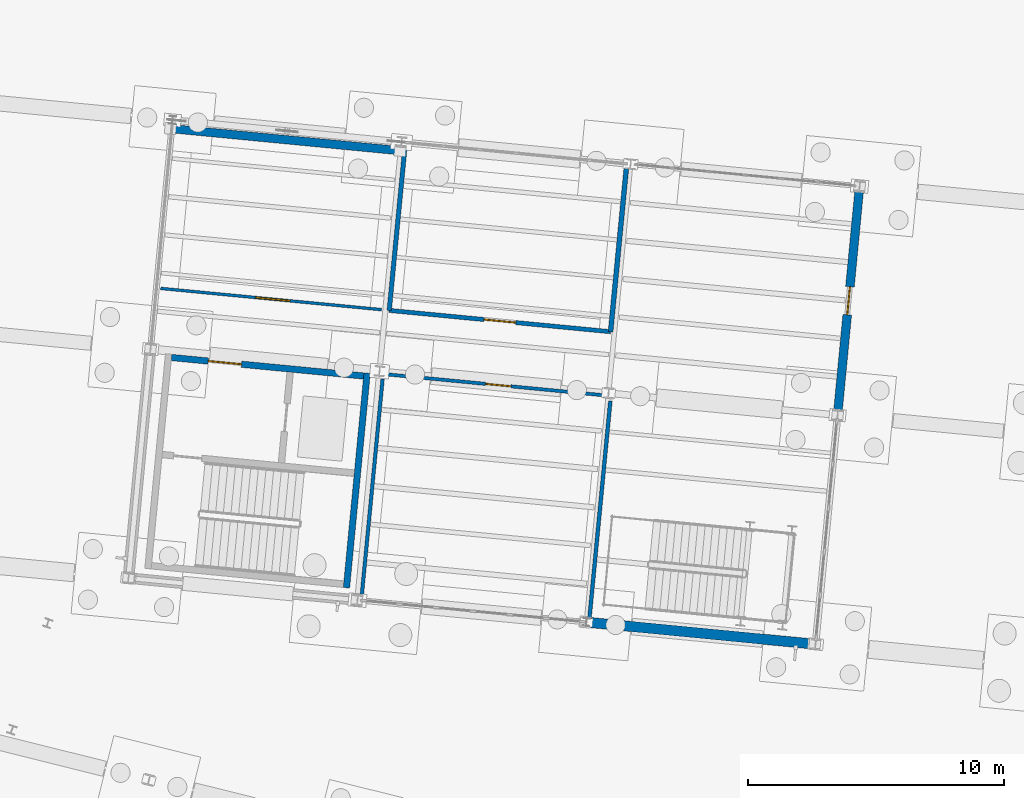
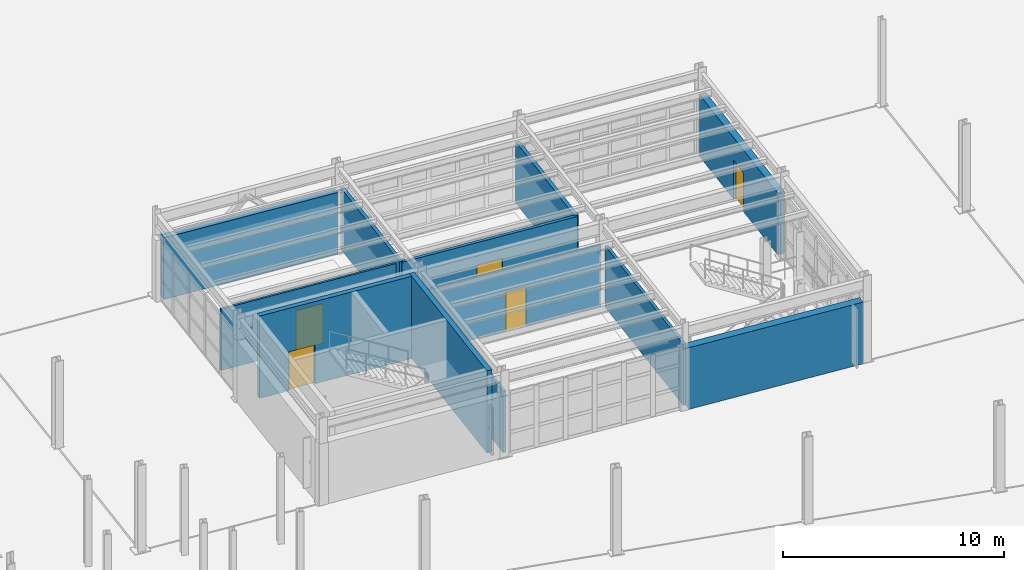
# One storey, part 87 of 108: 12 walls, 5 doors, 5 openings.
"""IFC4 building model written with IfcOpenShell, lengths in metres."""

import ifcopenshell
import ifcopenshell.guid

model = None  # the IFC model being written
_history = None  # IfcOwnerHistory: only IFC2X3 demands one
_inside = {}  # id of a spatial element -> (the spatial element, [elements in it])
_under = {}  # id of a project, library or spatial element -> (it, [spatial elements below it])
_declared = {}  # id of a project -> (the project, [libraries it declares])
_typed = {}  # id of a type object -> (the type object, [elements of that type])
_made_of = {}  # id of a material, layer set ... -> (it, [elements and type objects made of it])


def new_model(schema):
    """Start an empty IFC model of exactly this schema.

    Asked for "IFC4X3", IfcOpenShell would pick the latest addendum, in which some entities
    have other attributes; the version numbers below select the first issue.
    IFC2X3 requires an IfcOwnerHistory on every rooted entity: one is made here for all.
    """
    global model, _history
    if schema == "IFC4X3":
        model = ifcopenshell.file(schema_version=(4, 3, 0, 0))
    else:
        model = ifcopenshell.file(schema=schema)
    _inside.clear()
    _under.clear()
    _declared.clear()
    _typed.clear()
    _made_of.clear()
    _history = None
    if model.schema == "IFC2X3":
        org = make("IfcOrganization", Name="unknown")
        user = make(
            "IfcPersonAndOrganization",
            ThePerson=make("IfcPerson", FamilyName="unknown"),
            TheOrganization=org,
        )
        app = make(
            "IfcApplication",
            ApplicationDeveloper=org,
            Version="unknown",
            ApplicationFullName="unknown",
            ApplicationIdentifier="unknown",
        )
        _history = make(
            "IfcOwnerHistory",
            OwningUser=user,
            OwningApplication=app,
            ChangeAction="ADDED",
            CreationDate=0,
        )
    return model


def make(cls, **values):
    """One entity of the class cls with the attributes given. An attribute that is None is left unset."""
    return model.create_entity(
        cls, **{name: value for name, value in values.items() if value is not None}
    )


def rooted(cls, **values):
    """An entity with a GlobalId (a new one), such as an element, a storey or a relation."""
    return make(cls, GlobalId=ifcopenshell.guid.new(), OwnerHistory=_history, **values)


def si_unit(unit_type, name, prefix=None):
    """IfcSIUnit, for example si_unit("LENGTHUNIT", "METRE", prefix="MILLI")."""
    return make("IfcSIUnit", UnitType=unit_type, Prefix=prefix, Name=name)


def assignment(units):
    """IfcUnitAssignment: the units of a project."""
    return None if units is None else make("IfcUnitAssignment", Units=units)


def point(xyz):
    """IfcCartesianPoint."""
    return None if xyz is None else make("IfcCartesianPoint", Coordinates=xyz)


def direction(xyz):
    """IfcDirection."""
    return None if xyz is None else make("IfcDirection", DirectionRatios=xyz)


def frame(location, z_axis=None, x_axis=None):
    """IfcAxis2Placement3D, a coordinate frame: its origin and axes. An axis left out is left unset."""
    return make(
        "IfcAxis2Placement3D",
        Location=point(location),
        Axis=direction(z_axis),
        RefDirection=direction(x_axis),
    )


def frame_2d(location, x_axis=None):
    """IfcAxis2Placement2D, a coordinate frame in the plane: its origin and x axis."""
    return make(
        "IfcAxis2Placement2D", Location=point(location), RefDirection=direction(x_axis)
    )


def origin():
    """The frame at (0, 0, 0) with its axes left unset."""
    return frame((0.0, 0.0, 0.0))


def origin_with_axes():
    """The frame at (0, 0, 0) with the z axis (0, 0, 1) and the x axis (1, 0, 0) written out."""
    return frame((0.0, 0.0, 0.0), z_axis=(0.0, 0.0, 1.0), x_axis=(1.0, 0.0, 0.0))


def place(relative_to, where):
    """IfcLocalPlacement: puts the frame where relative to a parent placement (None: the world)."""
    return make(
        "IfcLocalPlacement", PlacementRelTo=relative_to, RelativePlacement=where
    )


def context(
    kind, dimensions, precision=None, world=None, true_north=None, identifier=None
):
    """IfcGeometricRepresentationContext, for example the 3D "Model" context."""
    return make(
        "IfcGeometricRepresentationContext",
        ContextIdentifier=identifier,
        ContextType=kind,
        CoordinateSpaceDimension=dimensions,
        Precision=precision,
        WorldCoordinateSystem=world,
        TrueNorth=true_north,
    )


def subcontext(parent, identifier, kind, view, scale=None):
    """IfcGeometricRepresentationSubContext, for example "Body" below "Model"."""
    return make(
        "IfcGeometricRepresentationSubContext",
        ContextIdentifier=identifier,
        ContextType=kind,
        ParentContext=parent,
        TargetScale=scale,
        TargetView=view,
    )


def project(units=None, contexts=None):
    """IfcProject with its units and contexts."""
    return rooted(
        "IfcProject",
        Name="project",
        RepresentationContexts=contexts,
        UnitsInContext=assignment(units),
    )


def spatial(cls, under=None, at=None, **own):
    """A site, building, storey or space (cls), placed at a placement, below another one or the project."""
    s = rooted(cls, ObjectPlacement=at, **own)
    if under is not None:
        _under.setdefault(under.id(), (under, []))[1].append(s)
    return s


def profile(cls, at=None, kind="AREA", **sizes):
    """A parametric profile (cls). Its sizes go by their IFC names, for example OverallWidth=200.0."""
    return make(cls, ProfileType=kind, Position=at, **sizes)


def rectangle(**sizes):
    """IfcRectangleProfileDef."""
    return profile("IfcRectangleProfileDef", **sizes)


def extrude(swept, where, along, depth):
    """IfcExtrudedAreaSolid: the profile swept, set in the frame where, extruded along a direction by depth."""
    return make(
        "IfcExtrudedAreaSolid",
        SweptArea=swept,
        Position=where,
        ExtrudedDirection=direction(along),
        Depth=depth,
    )


def shape(context_of_items, identifier, shape_type, items):
    """IfcShapeRepresentation: the items that make up one representation, for example the "Body"."""
    return make(
        "IfcShapeRepresentation",
        ContextOfItems=context_of_items,
        RepresentationIdentifier=identifier,
        RepresentationType=shape_type,
        Items=items,
    )


def material(Name=None, Category=None):
    """IfcMaterial."""
    return make("IfcMaterial", Name=Name, Category=Category)


def layer(
    of_material, thickness, ventilated=None, Name=None, Category=None, Priority=None
):
    """IfcMaterialLayer: one layer of a wall or slab, of a material (None: an air gap)."""
    return make(
        "IfcMaterialLayer",
        Material=of_material,
        LayerThickness=thickness,
        IsVentilated=ventilated,
        Name=Name,
        Category=Category,
        Priority=Priority,
    )


def layer_set(layers, Name=None):
    """IfcMaterialLayerSet."""
    return make("IfcMaterialLayerSet", MaterialLayers=layers, LayerSetName=Name)


def made_of(thing, what):
    """Note that an element or type object is made of a material, layer set ...; save() writes the relation."""
    if what is not None:
        _made_of.setdefault(what.id(), (what, []))[1].append(thing)
    return thing


def type_object(cls, material=None, **own):
    """A type object (cls), such as IfcWallType, which elements share."""
    return made_of(rooted(cls, **own), material)


def element(
    cls,
    number,
    at=None,
    inside=None,
    cuts=None,
    type_object=None,
    material=None,
    context=None,
    identifier="Body",
    shape_type=None,
    held_by="IfcProductDefinitionShape",
    body=None,
    shapes=None,
    **own,
):
    """One element of the class cls, such as IfcWall. Its Tag is "e" and its number.

    at: its placement. inside: the storey or other place that contains it. cuts: it is an
    opening in that element (IfcRelVoidsElement). A single representation is given by context,
    identifier, shape_type and body (its items); several are given by shapes. held_by: the class
    of the entity that holds the representations. save() writes the other relations.
    """
    e = rooted(cls, Tag="e%d" % number, ObjectPlacement=at, **own)
    if body is not None:
        shapes = [shape(context, identifier, shape_type, body)]
    if shapes is not None:
        e.Representation = make(held_by, Representations=shapes)
    if inside is not None:
        _inside.setdefault(inside.id(), (inside, []))[1].append(e)
    if cuts is not None:
        rooted(
            "IfcRelVoidsElement", RelatingBuildingElement=cuts, RelatedOpeningElement=e
        )
    if type_object is not None:
        _typed.setdefault(type_object.id(), (type_object, []))[1].append(e)
    return made_of(e, material)


def fill(opening, filler):
    """IfcRelFillsElement: the door or window that sits in an opening."""
    return rooted(
        "IfcRelFillsElement",
        RelatingOpeningElement=opening,
        RelatedBuildingElement=filler,
    )


def aggregate(whole, parts):
    """IfcRelAggregates: a whole, such as a stair, and the parts it consists of."""
    return rooted("IfcRelAggregates", RelatingObject=whole, RelatedObjects=parts)


def save(model, path):
    """Write the relations noted so far, then the file.

    IfcRelAggregates (storeys below a building ...), IfcRelContainedInSpatialStructure (elements
    in a storey), IfcRelDefinesByType, IfcRelAssociatesMaterial and IfcRelDeclares: one each for
    every whole, place, type object, material and project.
    """
    for whole, parts in _under.values():
        aggregate(whole, parts)
    for where, things in _inside.values():
        rooted(
            "IfcRelContainedInSpatialStructure",
            RelatedElements=things,
            RelatingStructure=where,
        )
    for kind, things in _typed.values():
        rooted("IfcRelDefinesByType", RelatedObjects=things, RelatingType=kind)
    for what, things in _made_of.values():
        rooted("IfcRelAssociatesMaterial", RelatedObjects=things, RelatingMaterial=what)
    for by, libraries in _declared.values():
        rooted("IfcRelDeclares", RelatingContext=by, RelatedDefinitions=libraries)
    model.write(path)


model = new_model("IFC4")

# Units and contexts
model_context = context("Model", 3, precision=1e-05, world=origin(), true_north=direction((0.0, 1.0)))
body_context = subcontext(model_context, "Body", "Model", "MODEL_VIEW")
ifc_project = project(units=[si_unit("LENGTHUNIT", "METRE"), si_unit("AREAUNIT", "SQUARE_METRE"), si_unit("VOLUMEUNIT", "CUBIC_METRE"), si_unit("PLANEANGLEUNIT", "RADIAN"), si_unit("MASSUNIT", "GRAM", prefix="KILO")], contexts=[model_context])

# Site, building, storey
site_placement = place(None, origin())
site = spatial("IfcSite", under=ifc_project, at=site_placement, CompositionType="ELEMENT")
building_placement = place(site_placement, origin())
building = spatial("IfcBuilding", under=site, at=building_placement, Name="Vireo Bluff Cable Station", CompositionType="ELEMENT")
storey_placement = place(building_placement, origin())
storey = spatial("IfcBuildingStorey", under=building, at=storey_placement, Name="L00", CompositionType="ELEMENT", Elevation=0.0)

# Wall
ifc_material_1 = material(Name="Precast concrete f'c 45 MPa", Category="concrete")
ifc_layer_1 = layer(ifc_material_1, 0.330078125, Name="Precast concrete f'c 45 MPa")
ifc_layer_set_1 = layer_set([ifc_layer_1], Name="Precast concrete f'c 45 MPa")
wall_type_1 = type_object("IfcWallType", Name="EW-PRECAST-330", PredefinedType="SOLIDWALL", material=ifc_layer_set_1)
wall_1_placement = place(storey_placement, frame((69.55908203125, 84.5703125, 0.0), z_axis=(0.0, 0.0, 1.0), x_axis=(0.995393996704, -0.095868614915, 0.0)))
element("IfcWall", 1, at=wall_1_placement, inside=storey, type_object=wall_type_1, Name="V3 L00 north exterior wall 50", PredefinedType="SOLIDWALL", context=body_context, shape_type="SweptSolid", body=[
    extrude(rectangle(XDim=8.666015625, YDim=0.330078125, at=frame_2d((4.3330078125, 0.0))), origin(), (0.0, 0.0, 1.0), 3.39990234375),
])

# Wall, opening, door
ifc_layer_2 = layer(ifc_material_1, 0.340087890625, Name="Precast concrete f'c 45 MPa")
ifc_layer_set_2 = layer_set([ifc_layer_2], Name="Precast concrete f'c 45 MPa")
wall_type_2 = type_object("IfcWallType", Name="EW-PRECAST-340", PredefinedType="SOLIDWALL", material=ifc_layer_set_2)
wall_2_placement = place(storey_placement, frame((96.31884765625, 82.12353515625, 0.0), z_axis=(0.0, 0.0, 1.0), x_axis=(-0.095860829531, -0.995394746501, 0.0)))
wall_2 = element("IfcWall", 2, at=wall_2_placement, inside=storey, type_object=wall_type_2, Name="V3 L00 east exterior wall 51", PredefinedType="SOLIDWALL", context=body_context, shape_type="SweptSolid", body=[
    extrude(rectangle(XDim=8.587890625, YDim=0.340087890625, at=frame_2d((4.2939453125, 0.0))), origin(), (0.0, 0.0, 1.0), 3.39990234375),
])
opening_1_placement = place(wall_2_placement, frame((3.743896484375, 0.0, 0.0)))
opening_1 = element("IfcOpeningElement", 3, at=opening_1_placement, cuts=wall_2, Name="Opening ED-004", PredefinedType="OPENING", context=body_context, shape_type="SweptSolid", body=[
    extrude(rectangle(XDim=1.10009765625, YDim=2.14990234375, at=frame_2d((0.550048828125, 1.074951171875))), frame((0.0, 0.18017578125, 0.0), z_axis=(0.0, -1.0, 0.0), x_axis=(1.0, 0.0, 0.0)), (0.0, 0.0, 1.0), 0.360107421875),
])
ifc_material_2 = material(Name="Anodized Aluminium 6063-T6", Category="aluminium")
door_type_1 = type_object("IfcDoorType", Name="EDOOR-1100X2150", OperationType="NOTDEFINED", PredefinedType="DOOR", material=ifc_material_2)
door_1_placement = place(opening_1_placement, origin_with_axes())
door_1 = element("IfcDoor", 4, at=door_1_placement, inside=storey, type_object=door_type_1, Name="V3 L00 plaza exit door ED-004", OperationType="SINGLE_SWING_LEFT", OverallHeight=2.14990234375, OverallWidth=1.10009765625, PredefinedType="DOOR", context=body_context, shape_type="SweptSolid", body=[
    extrude(rectangle(XDim=1.10009765625, YDim=2.14990234375, at=frame_2d((0.550048828125, 1.074951171875))), frame((0.0, 0.02490234375, 0.0), z_axis=(0.0, -1.0, 0.0), x_axis=(1.0, 0.0, 0.0)), (0.0, 0.0, 1.0), 0.050048828125),
])
fill(opening_1, door_1)

# Wall
ifc_layer_3 = layer(ifc_material_1, 0.39990234375, Name="Precast concrete f'c 45 MPa")
ifc_layer_set_3 = layer_set([ifc_layer_3], Name="Precast concrete f'c 45 MPa")
wall_type_3 = type_object("IfcWallType", Name="EW-PRECAST-400", PredefinedType="SOLIDWALL", material=ifc_layer_set_3)
wall_3_placement = place(storey_placement, frame((94.40966796875, 64.435791015625, 0.0), z_axis=(0.0, 0.0, 1.0), x_axis=(-0.995396425889, 0.095843389587, 0.0)))
element("IfcWall", 5, at=wall_3_placement, inside=storey, type_object=wall_type_3, Name="V3 L00 south exterior wall 47", PredefinedType="SOLIDWALL", context=body_context, shape_type="SweptSolid", body=[
    extrude(rectangle(XDim=8.665771484375, YDim=0.39990234375, at=frame_2d((4.3330078125, 0.0))), origin(), (0.0, 0.0, 1.0), 3.39990234375),
])

# Wall, opening, door
ifc_material_3 = material(Name="Fire-Rated Gypsum Board Partition")
ifc_layer_4 = layer(ifc_material_3, 0.110107421875, Name="Fire-Rated Gypsum Board Partition")
ifc_layer_set_4 = layer_set([ifc_layer_4], Name="Fire-Rated Gypsum Board Partition")
wall_type_4 = type_object("IfcWallType", Name="PT-1HR-110", PredefinedType="PARTITIONING", material=ifc_layer_set_4)
wall_4_placement = place(storey_placement, frame((77.639892578125, 77.503173828125, 0.0), z_axis=(0.0, 0.0, 1.0), x_axis=(-0.995395052796, 0.095857648985, 0.0)))
wall_4 = element("IfcWall", 6, at=wall_4_placement, inside=storey, type_object=wall_type_4, Name="V3 L00 Bluff Arrival Vestibule S partition", PredefinedType="PARTITIONING", context=body_context, shape_type="SweptSolid", body=[
    extrude(rectangle(XDim=8.679931640625, YDim=0.110107421875, at=frame_2d((4.33984375, 0.0))), origin(), (0.0, 0.0, 1.0), 3.3798828125),
])
opening_2_placement = place(wall_4_placement, frame((3.60009765625, 0.0, 0.0)))
opening_2 = element("IfcOpeningElement", 7, at=opening_2_placement, cuts=wall_4, Name="Opening D-0077", PredefinedType="OPENING", context=body_context, shape_type="SweptSolid", body=[
    extrude(rectangle(XDim=1.35009765625, YDim=2.199951171875, at=frame_2d((0.675048828125, 1.10009765625))), frame((0.0, 0.06494140625, 0.0), z_axis=(0.0, -1.0, 0.0), x_axis=(1.0, 0.0, 0.0)), (0.0, 0.0, 1.0), 0.130126953125),
])
door_type_2 = type_object("IfcDoorType", Name="IDOOR60-1350X2200", OperationType="NOTDEFINED", PredefinedType="DOOR", material=ifc_material_2)
door_2_placement = place(opening_2_placement, origin_with_axes())
door_2 = element("IfcDoor", 8, at=door_2_placement, inside=storey, type_object=door_type_2, Name="V3 L00 Bluff Arrival Vestibule door D-0077", OperationType="SINGLE_SWING_RIGHT", OverallHeight=2.199951171875, OverallWidth=1.35009765625, PredefinedType="DOOR", context=body_context, shape_type="SweptSolid", body=[
    extrude(rectangle(XDim=1.35009765625, YDim=2.199951171875, at=frame_2d((0.675048828125, 1.10009765625))), frame((0.0, 0.02490234375, 0.0), z_axis=(0.0, -1.0, 0.0), x_axis=(1.0, 0.0, 0.0)), (0.0, 0.0, 1.0), 0.050048828125),
])
fill(opening_2, door_2)

ifc_layer_5 = layer(ifc_material_3, 0.1298828125, Name="Fire-Rated Gypsum Board Partition")
ifc_layer_set_5 = layer_set([ifc_layer_5], Name="Fire-Rated Gypsum Board Partition")
wall_type_5 = type_object("IfcWallType", Name="PT-1HR-130", PredefinedType="PARTITIONING", material=ifc_layer_set_5)
wall_5_placement = place(storey_placement, frame((77.898193359375, 74.966796875, 0.0), z_axis=(0.0, 0.0, 1.0), x_axis=(0.995394944933, -0.095858769045, 0.0)))
wall_5 = element("IfcWall", 9, at=wall_5_placement, inside=storey, type_object=wall_type_5, Name="V3 L00 Ground Dispatch Room N partition", PredefinedType="PARTITIONING", context=body_context, shape_type="SweptSolid", body=[
    extrude(rectangle(XDim=8.5498046875, YDim=0.1298828125, at=frame_2d((4.27490234375, 0.0))), origin(), (0.0, 0.0, 1.0), 3.3798828125),
])
opening_3_placement = place(wall_5_placement, frame((3.824951171875, 0.0, 0.0)))
opening_3 = element("IfcOpeningElement", 10, at=opening_3_placement, cuts=wall_5, Name="Opening D-0075", PredefinedType="OPENING", context=body_context, shape_type="SweptSolid", body=[
    extrude(rectangle(XDim=1.0, YDim=2.14990234375, at=frame_2d((0.5, 1.074951171875))), frame((0.0, 0.074951171875, 0.0), z_axis=(0.0, -1.0, 0.0), x_axis=(1.0, 0.0, 0.0)), (0.0, 0.0, 1.0), 0.14990234375),
])
door_type_3 = type_object("IfcDoorType", Name="IDOOR60-1000X2150", OperationType="NOTDEFINED", PredefinedType="DOOR", material=ifc_material_2)
door_3_placement = place(opening_3_placement, origin_with_axes())
door_3 = element("IfcDoor", 11, at=door_3_placement, inside=storey, type_object=door_type_3, Name="V3 L00 Ground Dispatch Room door D-0075", OperationType="SINGLE_SWING_RIGHT", OverallHeight=2.14990234375, OverallWidth=1.0, PredefinedType="DOOR", context=body_context, shape_type="SweptSolid", body=[
    extrude(rectangle(XDim=1.0, YDim=2.14990234375, at=frame_2d((0.5, 1.074951171875))), frame((0.0, 0.02490234375, 0.0), z_axis=(0.0, -1.0, 0.0), x_axis=(1.0, 0.0, 0.0)), (0.0, 0.0, 1.0), 0.050048828125),
])
fill(opening_3, door_3)

# Walls
ifc_layer_6 = layer(ifc_material_3, 0.139892578125, Name="Fire-Rated Gypsum Board Partition")
ifc_layer_set_6 = layer_set([ifc_layer_6], Name="Fire-Rated Gypsum Board Partition")
wall_type_6 = type_object("IfcWallType", Name="PT-1HR-140", PredefinedType="PARTITIONING", material=ifc_layer_set_6)
wall_6_placement = place(storey_placement, frame((76.8623046875, 66.296142578125, 0.0), z_axis=(0.0, 0.0, 1.0), x_axis=(0.095853111028, 0.995395489796, 0.0)))
element("IfcWall", 12, at=wall_6_placement, inside=storey, type_object=wall_type_6, Name="V3 L00 Ground Dispatch Room W partition", PredefinedType="PARTITIONING", context=body_context, shape_type="SweptSolid", body=[
    extrude(rectangle(XDim=8.530029296875, YDim=0.139892578125, at=frame_2d((4.26513671875, 0.0))), origin(), (0.0, 0.0, 1.0), 3.3798828125),
])
ifc_layer_7 = layer(ifc_material_3, 0.14990234375, Name="Fire-Rated Gypsum Board Partition")
ifc_layer_set_7 = layer_set([ifc_layer_7], Name="Fire-Rated Gypsum Board Partition")
wall_type_7 = type_object("IfcWallType", Name="PT-1HR-150", PredefinedType="PARTITIONING", material=ifc_layer_set_7)
wall_7_placement = place(storey_placement, frame((86.588623046875, 73.928955078125, 0.0), z_axis=(0.0, 0.0, 1.0), x_axis=(-0.095853111028, -0.995395489796, 0.0)))
element("IfcWall", 13, at=wall_7_placement, inside=storey, type_object=wall_type_7, Name="V3 L00 Ground Dispatch Room E partition", PredefinedType="PARTITIONING", context=body_context, shape_type="SweptSolid", body=[
    extrude(rectangle(XDim=8.530029296875, YDim=0.14990234375, at=frame_2d((4.26513671875, 0.0))), origin(), (0.0, 0.0, 1.0), 3.3798828125),
])

# Wall, opening, door
ifc_layer_8 = layer(ifc_material_3, 0.1650390625, Name="Fire-Rated Gypsum Board Partition")
ifc_layer_set_8 = layer_set([ifc_layer_8], Name="Fire-Rated Gypsum Board Partition")
wall_type_8 = type_object("IfcWallType", Name="PT-1HR-165", PredefinedType="PARTITIONING", material=ifc_layer_set_8)
wall_8_placement = place(storey_placement, frame((86.5986328125, 76.640625, 0.0), z_axis=(0.0, 0.0, 1.0), x_axis=(-0.995397453462, 0.095832716968, 0.0)))
wall_8 = element("IfcWall", 14, at=wall_8_placement, inside=storey, type_object=wall_type_8, Name="V3 L00 Security and Lost Property Office S partition", PredefinedType="PARTITIONING", context=body_context, shape_type="SweptSolid", body=[
    extrude(rectangle(XDim=8.699951171875, YDim=0.1650390625, at=frame_2d((4.35009765625, 0.0))), origin(), (0.0, 0.0, 1.0), 3.3798828125),
])
opening_4_placement = place(wall_8_placement, frame((3.72509765625, 0.0, 0.0)))
opening_4 = element("IfcOpeningElement", 15, at=opening_4_placement, cuts=wall_8, Name="Opening D-0076", PredefinedType="OPENING", context=body_context, shape_type="SweptSolid", body=[
    extrude(rectangle(XDim=1.25, YDim=2.14990234375, at=frame_2d((0.625, 1.074951171875))), frame((0.0, 0.092529296875, 0.0), z_axis=(0.0, -1.0, 0.0), x_axis=(1.0, 0.0, 0.0)), (0.0, 0.0, 1.0), 0.18505859375),
])
door_type_4 = type_object("IfcDoorType", Name="IDOOR60-1250X2150", OperationType="NOTDEFINED", PredefinedType="DOOR", material=ifc_material_2)
door_4_placement = place(opening_4_placement, origin_with_axes())
door_4 = element("IfcDoor", 16, at=door_4_placement, inside=storey, type_object=door_type_4, Name="V3 L00 Security and Lost Property Office door D-0076", OperationType="SINGLE_SWING_LEFT", OverallHeight=2.14990234375, OverallWidth=1.25, PredefinedType="DOOR", context=body_context, shape_type="SweptSolid", body=[
    extrude(rectangle(XDim=1.25, YDim=2.14990234375, at=frame_2d((0.625, 1.074951171875))), frame((0.0, 0.02490234375, 0.0), z_axis=(0.0, -1.0, 0.0), x_axis=(1.0, 0.0, 0.0)), (0.0, 0.0, 1.0), 0.050048828125),
])
fill(opening_4, door_4)

# Walls
ifc_layer_9 = layer(ifc_material_3, 0.175048828125, Name="Fire-Rated Gypsum Board Partition")
ifc_layer_set_9 = layer_set([ifc_layer_9], Name="Fire-Rated Gypsum Board Partition")
wall_type_9 = type_object("IfcWallType", Name="PT-1HR-175", PredefinedType="PARTITIONING", material=ifc_layer_set_9)
wall_9_placement = place(storey_placement, frame((77.938720703125, 77.474365234375, 0.0), z_axis=(0.0, 0.0, 1.0), x_axis=(0.095833951501, 0.995397334606, 0.0)))
element("IfcWall", 17, at=wall_9_placement, inside=storey, type_object=wall_type_9, Name="V3 L00 Security and Lost Property Office W partition", PredefinedType="PARTITIONING", context=body_context, shape_type="SweptSolid", body=[
    extrude(rectangle(XDim=6.429931640625, YDim=0.175048828125, at=frame_2d((3.21484375, 0.0))), origin(), (0.0, 0.0, 1.0), 3.3798828125),
])
ifc_layer_10 = layer(ifc_material_3, 0.18994140625, Name="Fire-Rated Gypsum Board Partition")
ifc_layer_set_10 = layer_set([ifc_layer_10], Name="Fire-Rated Gypsum Board Partition")
wall_type_10 = type_object("IfcWallType", Name="PT-1HR-190", PredefinedType="PARTITIONING", material=ifc_layer_set_10)
wall_10_placement = place(storey_placement, frame((87.21484375, 83.041015625, 0.0), z_axis=(0.0, 0.0, 1.0), x_axis=(-0.095833951501, -0.995397334606, 0.0)))
element("IfcWall", 18, at=wall_10_placement, inside=storey, type_object=wall_type_10, Name="V3 L00 Security and Lost Property Office E partition", PredefinedType="PARTITIONING", context=body_context, shape_type="SweptSolid", body=[
    extrude(rectangle(XDim=6.429931640625, YDim=0.18994140625, at=frame_2d((3.21484375, 0.0))), origin(), (0.0, 0.0, 1.0), 3.3798828125),
])
ifc_material_4 = material(Name="Concrete f'c 40 MPa", Category="concrete")
ifc_layer_11 = layer(ifc_material_4, 0.25, Name="Concrete f'c 40 MPa")
ifc_layer_set_11 = layer_set([ifc_layer_11], Name="Concrete f'c 40 MPa")
wall_type_11 = type_object("IfcWallType", Name="SW-CORE-250", PredefinedType="SHEAR", material=ifc_layer_set_11)
wall_11_placement = place(storey_placement, frame((76.26611328125, 66.624755859375, 0.0), z_axis=(0.0, 0.0, 1.0), x_axis=(0.095832083117, 0.995397514486, 0.0)))
element("IfcWall", 19, at=wall_11_placement, inside=storey, type_object=wall_type_11, Name="CORE-1 L00 core E shear wall", PredefinedType="SHEAR", context=body_context, shape_type="SweptSolid", body=[
    extrude(rectangle(XDim=8.43505859375, YDim=0.25, at=frame_2d((4.217529296875, 0.0))), origin(), (0.0, 0.0, 1.0), 4.5400390625),
])

# Wall, opening, door
wall_12_placement = place(storey_placement, frame((69.4228515625, 75.632080078125, 0.0), z_axis=(0.0, 0.0, 1.0), x_axis=(0.995396104215, -0.095846730326, 0.0)))
wall_12 = element("IfcWall", 20, at=wall_12_placement, inside=storey, type_object=wall_type_11, Name="CORE-1 L00 core north shear wall", PredefinedType="SHEAR", context=body_context, shape_type="SweptSolid", body=[
    extrude(rectangle(XDim=7.5498046875, YDim=0.25, at=frame_2d((3.77490234375, 0.0))), origin(), (0.0, 0.0, 1.0), 4.5400390625),
])
opening_5_placement = place(wall_12_placement, frame((1.449951171875, 0.0, 0.0)))
opening_5 = element("IfcOpeningElement", 21, at=opening_5_placement, cuts=wall_12, Name="Opening FD-002", PredefinedType="OPENING", context=body_context, shape_type="SweptSolid", body=[
    extrude(rectangle(XDim=1.300048828125, YDim=2.14990234375, at=frame_2d((0.64990234375, 1.074951171875))), frame((0.0, 0.135009765625, 0.0), z_axis=(0.0, -1.0, 0.0), x_axis=(1.0, 0.0, 0.0)), (0.0, 0.0, 1.0), 0.27001953125),
])
ifc_material_5 = material(Name="Stainless Steel 316", Category="steel")
door_type_5 = type_object("IfcDoorType", Name="IDOOR90-1300X2150", OperationType="NOTDEFINED", PredefinedType="DOOR", material=ifc_material_5)
door_5_placement = place(opening_5_placement, origin_with_axes())
door_5 = element("IfcDoor", 22, at=door_5_placement, inside=storey, type_object=door_type_5, Name="CORE-1 L00 firefighting lobby door FD-002", OperationType="SINGLE_SWING_LEFT", OverallHeight=2.14990234375, OverallWidth=1.300048828125, PredefinedType="DOOR", context=body_context, shape_type="SweptSolid", body=[
    extrude(rectangle(XDim=1.300048828125, YDim=2.14990234375, at=frame_2d((0.64990234375, 1.074951171875))), frame((0.0, 0.02490234375, 0.0), z_axis=(0.0, -1.0, 0.0), x_axis=(1.0, 0.0, 0.0)), (0.0, 0.0, 1.0), 0.050048828125),
])
fill(opening_5, door_5)

save(model, "model.ifc")
